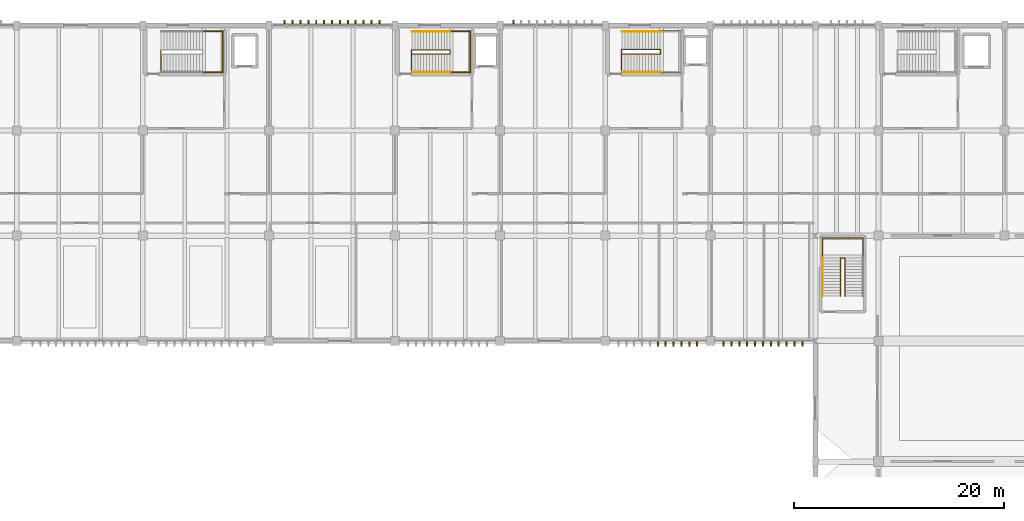
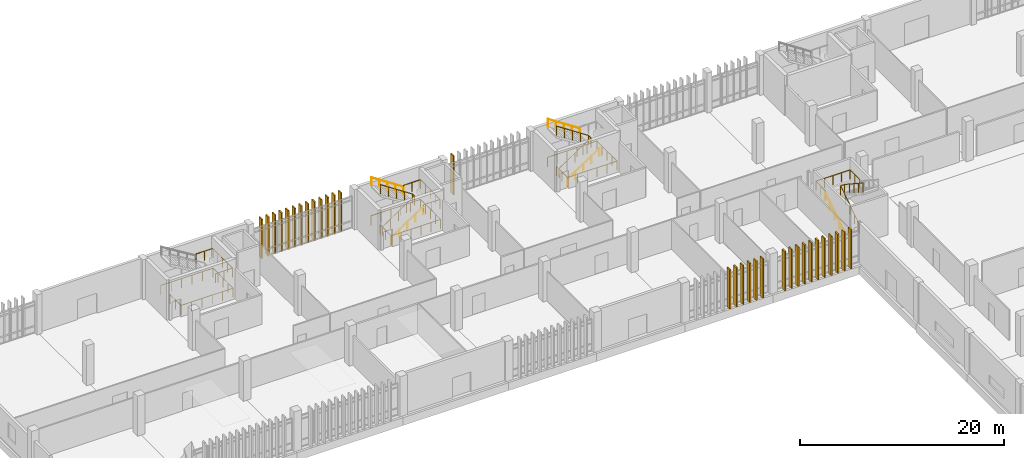
# One storey, part 83 of 87: 31 shading devices, 14 railings.
"""IFC4 building model written with IfcOpenShell, lengths in metres."""

from ifc_helpers import new_model, si_unit, direction, frame, origin, origin_2d, place, context, subcontext, project, spatial, rectangle, circle, extrude, material, type_object, element, save


model = new_model("IFC4")

# Units and contexts
model_context = context("Model", 3, precision=1e-05, world=origin(), true_north=direction((0.0, 1.0)))
body_context = subcontext(model_context, "Body", "Model", "MODEL_VIEW")
ifc_project = project(units=[si_unit("LENGTHUNIT", "METRE"), si_unit("AREAUNIT", "SQUARE_METRE"), si_unit("VOLUMEUNIT", "CUBIC_METRE"), si_unit("PLANEANGLEUNIT", "RADIAN"), si_unit("MASSUNIT", "GRAM", prefix="KILO")], contexts=[model_context])

# Site, building, storey
site_placement = place(None, origin())
site = spatial("IfcSite", under=ifc_project, at=site_placement, CompositionType="ELEMENT")
building_placement = place(site_placement, origin())
building = spatial("IfcBuilding", under=site, at=building_placement, Name="Mersad Railyard Sports Hall", CompositionType="ELEMENT")
storey_placement = place(building_placement, origin())
storey = spatial("IfcBuildingStorey", under=building, at=storey_placement, Name="L00", CompositionType="ELEMENT", Elevation=0.0)

# Railings
ifc_material_1 = material(Name="Steel S355", Category="steel")
railing_type_1 = type_object("IfcRailingType", Name="ARC-RL-GR01", PredefinedType="GUARDRAIL", material=ifc_material_1)
railing_1_placement = place(storey_placement, frame((68.7099609375, 112.68994140625, 0.0)))
element("IfcRailing", 1, at=railing_1_placement, inside=storey, type_object=railing_type_1, Name="Interior guard GR01-0005", PredefinedType="GUARDRAIL", context=body_context, shape_type="SweptSolid", body=[
    extrude(circle(Radius=0.02392578125, at=origin_2d()), frame((0.0, 0.0, 1.09619140625), z_axis=(0.0, -1.0, 0.0), x_axis=(1.0, 0.0, 0.0)), (0.0, 0.0, 1.0), 2.169921875),
    extrude(circle(Radius=0.02392578125, at=origin_2d()), frame((0.0, -2.169921875, 1.09619140625), z_axis=(1.0, 0.0, 0.0), x_axis=(0.0, 1.0, 0.0)), (0.0, 0.0, 1.0), 5.919921875),
    extrude(circle(Radius=0.02392578125, at=origin_2d()), frame((5.919921875, -2.169921875, 1.09619140625), z_axis=(0.0, 1.0, 0.0), x_axis=(-1.0, 0.0, 0.0)), (0.0, 0.0, 1.0), 3.9599609375),
    extrude(circle(Radius=0.02392578125, at=origin_2d()), frame((5.919921875, 1.7900390625, 1.09619140625), z_axis=(-1.0, 0.0, 0.0), x_axis=(0.0, -1.0, 0.0)), (0.0, 0.0, 1.0), 5.919921875),
    extrude(circle(Radius=0.02099609375, at=origin_2d()), origin(), (0.0, 0.0, 1.0), 1.072021484375),
    extrude(circle(Radius=0.02099609375, at=origin_2d()), frame((0.0, -1.0849609375, 0.0)), (0.0, 0.0, 1.0), 1.072021484375),
    extrude(circle(Radius=0.02099609375, at=origin_2d()), frame((0.0, -2.169921875, 0.0)), (0.0, 0.0, 1.0), 1.072021484375),
    extrude(circle(Radius=0.02099609375, at=origin_2d()), frame((1.18408203125, -2.169921875, 0.0)), (0.0, 0.0, 1.0), 1.072021484375),
    extrude(circle(Radius=0.02099609375, at=origin_2d()), frame((2.367919921875, -2.169921875, 0.0)), (0.0, 0.0, 1.0), 1.072021484375),
    extrude(circle(Radius=0.02099609375, at=origin_2d()), frame((3.552001953125, -2.169921875, 0.0)), (0.0, 0.0, 1.0), 1.072021484375),
    extrude(circle(Radius=0.02099609375, at=origin_2d()), frame((4.73583984375, -2.169921875, 0.0)), (0.0, 0.0, 1.0), 1.072021484375),
    extrude(circle(Radius=0.02099609375, at=origin_2d()), frame((5.919921875, -2.169921875, 0.0)), (0.0, 0.0, 1.0), 1.072021484375),
    extrude(circle(Radius=0.02099609375, at=origin_2d()), frame((5.919921875, -1.179931640625, 0.0)), (0.0, 0.0, 1.0), 1.072021484375),
    extrude(circle(Radius=0.02099609375, at=origin_2d()), frame((5.919921875, -0.18994140625, 0.0)), (0.0, 0.0, 1.0), 1.072021484375),
    extrude(circle(Radius=0.02099609375, at=origin_2d()), frame((5.919921875, 0.800048828125, 0.0)), (0.0, 0.0, 1.0), 1.072021484375),
    extrude(circle(Radius=0.02099609375, at=origin_2d()), frame((5.919921875, 1.7900390625, 0.0)), (0.0, 0.0, 1.0), 1.072021484375),
    extrude(circle(Radius=0.02099609375, at=origin_2d()), frame((4.73583984375, 1.7900390625, 0.0)), (0.0, 0.0, 1.0), 1.072021484375),
    extrude(circle(Radius=0.02099609375, at=origin_2d()), frame((3.552001953125, 1.7900390625, 0.0)), (0.0, 0.0, 1.0), 1.072021484375),
    extrude(circle(Radius=0.02099609375, at=origin_2d()), frame((2.367919921875, 1.7900390625, 0.0)), (0.0, 0.0, 1.0), 1.072021484375),
    extrude(circle(Radius=0.02099609375, at=origin_2d()), frame((1.18408203125, 1.7900390625, 0.0)), (0.0, 0.0, 1.0), 1.072021484375),
    extrude(circle(Radius=0.02099609375, at=origin_2d()), frame((0.0, 1.7900390625, 0.0)), (0.0, 0.0, 1.0), 1.072021484375),
])
railing_2_placement = place(storey_placement, frame((72.669921875, 110.56005859375, 2.39990234375)))
element("IfcRailing", 2, at=railing_2_placement, inside=storey, type_object=railing_type_1, Name="Interior guard GR01-0009", PredefinedType="GUARDRAIL", context=body_context, shape_type="SweptSolid", body=[
    extrude(circle(Radius=0.02392578125, at=origin_2d()), frame((0.0, 0.0, 1.09619140625), z_axis=(1.0, 0.0, 0.0), x_axis=(0.0, 1.0, 0.0)), (0.0, 0.0, 1.0), 1.920166015625),
    extrude(circle(Radius=0.02392578125, at=origin_2d()), frame((1.920166015625, 0.0, 1.09619140625), z_axis=(0.0, 1.0, 0.0), x_axis=(-1.0, 0.0, 0.0)), (0.0, 0.0, 1.0), 3.8798828125),
    extrude(circle(Radius=0.02392578125, at=origin_2d()), frame((1.920166015625, 3.8798828125, 1.09619140625), z_axis=(-1.0, 0.0, 0.0), x_axis=(0.0, -1.0, 0.0)), (0.0, 0.0, 1.0), 1.920166015625),
    extrude(circle(Radius=0.02099609375, at=origin_2d()), origin(), (0.0, 0.0, 1.0), 1.072021484375),
    extrude(circle(Radius=0.02099609375, at=origin_2d()), frame((0.9599609375, 0.0, 0.0)), (0.0, 0.0, 1.0), 1.072021484375),
    extrude(circle(Radius=0.02099609375, at=origin_2d()), frame((1.920166015625, 0.0, 0.0)), (0.0, 0.0, 1.0), 1.072021484375),
    extrude(circle(Radius=0.02099609375, at=origin_2d()), frame((1.920166015625, 0.969970703125, 0.0)), (0.0, 0.0, 1.0), 1.072021484375),
    extrude(circle(Radius=0.02099609375, at=origin_2d()), frame((1.920166015625, 1.93994140625, 0.0)), (0.0, 0.0, 1.0), 1.072021484375),
    extrude(circle(Radius=0.02099609375, at=origin_2d()), frame((1.920166015625, 2.909912109375, 0.0)), (0.0, 0.0, 1.0), 1.072021484375),
    extrude(circle(Radius=0.02099609375, at=origin_2d()), frame((1.920166015625, 3.8798828125, 0.0)), (0.0, 0.0, 1.0), 1.072021484375),
    extrude(circle(Radius=0.02099609375, at=origin_2d()), frame((0.9599609375, 3.8798828125, 0.0)), (0.0, 0.0, 1.0), 1.072021484375),
    extrude(circle(Radius=0.02099609375, at=origin_2d()), frame((0.0, 3.8798828125, 0.0)), (0.0, 0.0, 1.0), 1.072021484375),
])
railing_3_placement = place(storey_placement, frame((92.56005859375, 112.68994140625, 0.0)))
element("IfcRailing", 3, at=railing_3_placement, inside=storey, type_object=railing_type_1, Name="Interior guard GR01-0035", PredefinedType="GUARDRAIL", context=body_context, shape_type="SweptSolid", body=[
    extrude(circle(Radius=0.02392578125, at=origin_2d()), frame((0.0, 0.0, 1.09619140625), z_axis=(0.0, -1.0, 0.0), x_axis=(1.0, 0.0, 0.0)), (0.0, 0.0, 1.0), 2.169921875),
    extrude(circle(Radius=0.02392578125, at=origin_2d()), frame((0.0, -2.169921875, 1.09619140625), z_axis=(1.0, 0.0, 0.0), x_axis=(0.0, 1.0, 0.0)), (0.0, 0.0, 1.0), 5.619873046875),
    extrude(circle(Radius=0.02392578125, at=origin_2d()), frame((5.619873046875, -2.169921875, 1.09619140625), z_axis=(0.0, 1.0, 0.0), x_axis=(-1.0, 0.0, 0.0)), (0.0, 0.0, 1.0), 3.9599609375),
    extrude(circle(Radius=0.02392578125, at=origin_2d()), frame((5.619873046875, 1.7900390625, 1.09619140625), z_axis=(-1.0, 0.0, 0.0), x_axis=(0.0, -1.0, 0.0)), (0.0, 0.0, 1.0), 5.619873046875),
    extrude(circle(Radius=0.02099609375, at=origin_2d()), origin(), (0.0, 0.0, 1.0), 1.072021484375),
    extrude(circle(Radius=0.02099609375, at=origin_2d()), frame((0.0, -1.0849609375, 0.0)), (0.0, 0.0, 1.0), 1.072021484375),
    extrude(circle(Radius=0.02099609375, at=origin_2d()), frame((0.0, -2.169921875, 0.0)), (0.0, 0.0, 1.0), 1.072021484375),
    extrude(circle(Radius=0.02099609375, at=origin_2d()), frame((1.1240234375, -2.169921875, 0.0)), (0.0, 0.0, 1.0), 1.072021484375),
    extrude(circle(Radius=0.02099609375, at=origin_2d()), frame((2.248046875, -2.169921875, 0.0)), (0.0, 0.0, 1.0), 1.072021484375),
    extrude(circle(Radius=0.02099609375, at=origin_2d()), frame((3.371826171875, -2.169921875, 0.0)), (0.0, 0.0, 1.0), 1.072021484375),
    extrude(circle(Radius=0.02099609375, at=origin_2d()), frame((4.495849609375, -2.169921875, 0.0)), (0.0, 0.0, 1.0), 1.072021484375),
    extrude(circle(Radius=0.02099609375, at=origin_2d()), frame((5.619873046875, -2.169921875, 0.0)), (0.0, 0.0, 1.0), 1.072021484375),
    extrude(circle(Radius=0.02099609375, at=origin_2d()), frame((5.619873046875, -1.179931640625, 0.0)), (0.0, 0.0, 1.0), 1.072021484375),
    extrude(circle(Radius=0.02099609375, at=origin_2d()), frame((5.619873046875, -0.18994140625, 0.0)), (0.0, 0.0, 1.0), 1.072021484375),
    extrude(circle(Radius=0.02099609375, at=origin_2d()), frame((5.619873046875, 0.800048828125, 0.0)), (0.0, 0.0, 1.0), 1.072021484375),
    extrude(circle(Radius=0.02099609375, at=origin_2d()), frame((5.619873046875, 1.7900390625, 0.0)), (0.0, 0.0, 1.0), 1.072021484375),
    extrude(circle(Radius=0.02099609375, at=origin_2d()), frame((4.495849609375, 1.7900390625, 0.0)), (0.0, 0.0, 1.0), 1.072021484375),
    extrude(circle(Radius=0.02099609375, at=origin_2d()), frame((3.371826171875, 1.7900390625, 0.0)), (0.0, 0.0, 1.0), 1.072021484375),
    extrude(circle(Radius=0.02099609375, at=origin_2d()), frame((2.248046875, 1.7900390625, 0.0)), (0.0, 0.0, 1.0), 1.072021484375),
    extrude(circle(Radius=0.02099609375, at=origin_2d()), frame((1.1240234375, 1.7900390625, 0.0)), (0.0, 0.0, 1.0), 1.072021484375),
    extrude(circle(Radius=0.02099609375, at=origin_2d()), frame((0.0, 1.7900390625, 0.0)), (0.0, 0.0, 1.0), 1.072021484375),
])
railing_4_placement = place(storey_placement, frame((92.60009765625, 112.31005859375, 0.0)))
element("IfcRailing", 4, at=railing_4_placement, inside=storey, type_object=railing_type_1, Name="Interior guard GR01-0038", PredefinedType="GUARDRAIL", context=body_context, shape_type="SweptSolid", body=[
    extrude(circle(Radius=0.02392578125, at=origin_2d()), frame((0.0, 0.0, 1.09619140625), z_axis=(0.834865213223, 0.0, 0.550454426587), x_axis=(0.0, 1.0, 0.0)), (0.0, 0.0, 1.0), 4.35986328125),
    extrude(circle(Radius=0.02392578125, at=origin_2d()), frame((3.639892578125, 0.0, 3.49609375), z_axis=(0.0, 1.0, 0.0), x_axis=(-1.0, 0.0, 0.0)), (0.0, 0.0, 1.0), 0.3798828125),
    extrude(circle(Radius=0.02392578125, at=origin_2d()), frame((3.639892578125, 0.3798828125, 3.49609375), z_axis=(-0.834839479206, 0.0, 0.550493454965), x_axis=(0.0, -1.0, 0.0)), (0.0, 0.0, 1.0), 4.360107421875),
    extrude(circle(Radius=0.02099609375, at=origin_2d()), origin(), (0.0, 0.0, 1.0), 1.072021484375),
    extrude(circle(Radius=0.02099609375, at=origin_2d()), frame((0.909912109375, 0.0, 0.60009765625)), (0.0, 0.0, 1.0), 1.072021484375),
    extrude(circle(Radius=0.02099609375, at=origin_2d()), frame((1.81982421875, 0.0, 1.199951171875)), (0.0, 0.0, 1.0), 1.072021484375),
    extrude(circle(Radius=0.02099609375, at=origin_2d()), frame((2.72998046875, 0.0, 1.7998046875)), (0.0, 0.0, 1.0), 1.072021484375),
    extrude(circle(Radius=0.02099609375, at=origin_2d()), frame((3.639892578125, 0.0, 2.39990234375)), (0.0, 0.0, 1.0), 1.072021484375),
    extrude(circle(Radius=0.02099609375, at=origin_2d()), frame((3.639892578125, 0.3798828125, 2.39990234375)), (0.0, 0.0, 1.0), 1.072021484375),
    extrude(circle(Radius=0.02099609375, at=origin_2d()), frame((2.72998046875, 0.3798828125, 3.0)), (0.0, 0.0, 1.0), 1.072021484375),
    extrude(circle(Radius=0.02099609375, at=origin_2d()), frame((1.81982421875, 0.3798828125, 3.60009765625)), (0.0, 0.0, 1.0), 1.072021484375),
    extrude(circle(Radius=0.02099609375, at=origin_2d()), frame((0.909912109375, 0.3798828125, 4.199951171875)), (0.0, 0.0, 1.0), 1.072021484375),
    extrude(circle(Radius=0.02099609375, at=origin_2d()), frame((0.0, 0.3798828125, 4.800048828125)), (0.0, 0.0, 1.0), 1.072021484375),
])
railing_5_placement = place(storey_placement, frame((96.239990234375, 110.56005859375, 2.39990234375)))
element("IfcRailing", 5, at=railing_5_placement, inside=storey, type_object=railing_type_1, Name="Interior guard GR01-0039", PredefinedType="GUARDRAIL", context=body_context, shape_type="SweptSolid", body=[
    extrude(circle(Radius=0.02392578125, at=origin_2d()), frame((0.0, 0.0, 1.09619140625), z_axis=(1.0, 0.0, 0.0), x_axis=(0.0, 1.0, 0.0)), (0.0, 0.0, 1.0), 1.89990234375),
    extrude(circle(Radius=0.02392578125, at=origin_2d()), frame((1.89990234375, 0.0, 1.09619140625), z_axis=(0.0, 1.0, 0.0), x_axis=(-1.0, 0.0, 0.0)), (0.0, 0.0, 1.0), 3.8798828125),
    extrude(circle(Radius=0.02392578125, at=origin_2d()), frame((1.89990234375, 3.8798828125, 1.09619140625), z_axis=(-1.0, 0.0, 0.0), x_axis=(0.0, -1.0, 0.0)), (0.0, 0.0, 1.0), 1.89990234375),
    extrude(circle(Radius=0.02099609375, at=origin_2d()), origin(), (0.0, 0.0, 1.0), 1.072021484375),
    extrude(circle(Radius=0.02099609375, at=origin_2d()), frame((0.949951171875, 0.0, 0.0)), (0.0, 0.0, 1.0), 1.072021484375),
    extrude(circle(Radius=0.02099609375, at=origin_2d()), frame((1.89990234375, 0.0, 0.0)), (0.0, 0.0, 1.0), 1.072021484375),
    extrude(circle(Radius=0.02099609375, at=origin_2d()), frame((1.89990234375, 0.969970703125, 0.0)), (0.0, 0.0, 1.0), 1.072021484375),
    extrude(circle(Radius=0.02099609375, at=origin_2d()), frame((1.89990234375, 1.93994140625, 0.0)), (0.0, 0.0, 1.0), 1.072021484375),
    extrude(circle(Radius=0.02099609375, at=origin_2d()), frame((1.89990234375, 2.909912109375, 0.0)), (0.0, 0.0, 1.0), 1.072021484375),
    extrude(circle(Radius=0.02099609375, at=origin_2d()), frame((1.89990234375, 3.8798828125, 0.0)), (0.0, 0.0, 1.0), 1.072021484375),
    extrude(circle(Radius=0.02099609375, at=origin_2d()), frame((0.949951171875, 3.8798828125, 0.0)), (0.0, 0.0, 1.0), 1.072021484375),
    extrude(circle(Radius=0.02099609375, at=origin_2d()), frame((0.0, 3.8798828125, 0.0)), (0.0, 0.0, 1.0), 1.072021484375),
])
railing_6_placement = place(storey_placement, frame((112.56005859375, 112.7099609375, 0.0)))
element("IfcRailing", 6, at=railing_6_placement, inside=storey, type_object=railing_type_1, Name="Interior guard GR01-0065", PredefinedType="GUARDRAIL", context=body_context, shape_type="SweptSolid", body=[
    extrude(circle(Radius=0.02392578125, at=origin_2d()), frame((0.0, 0.0, 1.09619140625), z_axis=(0.0, -1.0, 0.0), x_axis=(1.0, 0.0, 0.0)), (0.0, 0.0, 1.0), 2.18994140625),
    extrude(circle(Radius=0.02392578125, at=origin_2d()), frame((0.0, -2.18994140625, 1.09619140625), z_axis=(1.0, 0.0, 0.0), x_axis=(0.0, 1.0, 0.0)), (0.0, 0.0, 1.0), 5.619873046875),
    extrude(circle(Radius=0.02392578125, at=origin_2d()), frame((5.619873046875, -2.18994140625, 1.09619140625), z_axis=(0.0, 1.0, 0.0), x_axis=(-1.0, 0.0, 0.0)), (0.0, 0.0, 1.0), 3.9599609375),
    extrude(circle(Radius=0.02392578125, at=origin_2d()), frame((5.619873046875, 1.77001953125, 1.09619140625), z_axis=(-1.0, 0.0, 0.0), x_axis=(0.0, -1.0, 0.0)), (0.0, 0.0, 1.0), 5.619873046875),
    extrude(circle(Radius=0.02099609375, at=origin_2d()), origin(), (0.0, 0.0, 1.0), 1.072021484375),
    extrude(circle(Radius=0.02099609375, at=origin_2d()), frame((0.0, -1.094970703125, 0.0)), (0.0, 0.0, 1.0), 1.072021484375),
    extrude(circle(Radius=0.02099609375, at=origin_2d()), frame((0.0, -2.18994140625, 0.0)), (0.0, 0.0, 1.0), 1.072021484375),
    extrude(circle(Radius=0.02099609375, at=origin_2d()), frame((1.1240234375, -2.18994140625, 0.0)), (0.0, 0.0, 1.0), 1.072021484375),
    extrude(circle(Radius=0.02099609375, at=origin_2d()), frame((2.248046875, -2.18994140625, 0.0)), (0.0, 0.0, 1.0), 1.072021484375),
    extrude(circle(Radius=0.02099609375, at=origin_2d()), frame((3.371826171875, -2.18994140625, 0.0)), (0.0, 0.0, 1.0), 1.072021484375),
    extrude(circle(Radius=0.02099609375, at=origin_2d()), frame((4.495849609375, -2.18994140625, 0.0)), (0.0, 0.0, 1.0), 1.072021484375),
    extrude(circle(Radius=0.02099609375, at=origin_2d()), frame((5.619873046875, -2.18994140625, 0.0)), (0.0, 0.0, 1.0), 1.072021484375),
    extrude(circle(Radius=0.02099609375, at=origin_2d()), frame((5.619873046875, -1.199951171875, 0.0)), (0.0, 0.0, 1.0), 1.072021484375),
    extrude(circle(Radius=0.02099609375, at=origin_2d()), frame((5.619873046875, -0.2099609375, 0.0)), (0.0, 0.0, 1.0), 1.072021484375),
    extrude(circle(Radius=0.02099609375, at=origin_2d()), frame((5.619873046875, 0.780029296875, 0.0)), (0.0, 0.0, 1.0), 1.072021484375),
    extrude(circle(Radius=0.02099609375, at=origin_2d()), frame((5.619873046875, 1.77001953125, 0.0)), (0.0, 0.0, 1.0), 1.072021484375),
    extrude(circle(Radius=0.02099609375, at=origin_2d()), frame((4.495849609375, 1.77001953125, 0.0)), (0.0, 0.0, 1.0), 1.072021484375),
    extrude(circle(Radius=0.02099609375, at=origin_2d()), frame((3.371826171875, 1.77001953125, 0.0)), (0.0, 0.0, 1.0), 1.072021484375),
    extrude(circle(Radius=0.02099609375, at=origin_2d()), frame((2.248046875, 1.77001953125, 0.0)), (0.0, 0.0, 1.0), 1.072021484375),
    extrude(circle(Radius=0.02099609375, at=origin_2d()), frame((1.1240234375, 1.77001953125, 0.0)), (0.0, 0.0, 1.0), 1.072021484375),
    extrude(circle(Radius=0.02099609375, at=origin_2d()), frame((0.0, 1.77001953125, 0.0)), (0.0, 0.0, 1.0), 1.072021484375),
])
railing_7_placement = place(storey_placement, frame((112.60009765625, 112.27001953125, 0.0)))
element("IfcRailing", 7, at=railing_7_placement, inside=storey, type_object=railing_type_1, Name="Interior guard GR01-0068", PredefinedType="GUARDRAIL", context=body_context, shape_type="SweptSolid", body=[
    extrude(circle(Radius=0.02392578125, at=origin_2d()), frame((0.0, 0.0, 1.09619140625), z_axis=(0.834865213223, 0.0, 0.550454426587), x_axis=(0.0, 1.0, 0.0)), (0.0, 0.0, 1.0), 4.35986328125),
    extrude(circle(Radius=0.02392578125, at=origin_2d()), frame((3.639892578125, 0.0, 3.49609375), z_axis=(0.0, 1.0, 0.0), x_axis=(-1.0, 0.0, 0.0)), (0.0, 0.0, 1.0), 0.4599609375),
    extrude(circle(Radius=0.02392578125, at=origin_2d()), frame((3.639892578125, 0.4599609375, 3.49609375), z_axis=(-0.834839479206, 0.0, 0.550493454965), x_axis=(0.0, -1.0, 0.0)), (0.0, 0.0, 1.0), 4.360107421875),
    extrude(circle(Radius=0.02099609375, at=origin_2d()), origin(), (0.0, 0.0, 1.0), 1.072021484375),
    extrude(circle(Radius=0.02099609375, at=origin_2d()), frame((0.909912109375, 0.0, 0.60009765625)), (0.0, 0.0, 1.0), 1.072021484375),
    extrude(circle(Radius=0.02099609375, at=origin_2d()), frame((1.81982421875, 0.0, 1.199951171875)), (0.0, 0.0, 1.0), 1.072021484375),
    extrude(circle(Radius=0.02099609375, at=origin_2d()), frame((2.72998046875, 0.0, 1.7998046875)), (0.0, 0.0, 1.0), 1.072021484375),
    extrude(circle(Radius=0.02099609375, at=origin_2d()), frame((3.639892578125, 0.0, 2.39990234375)), (0.0, 0.0, 1.0), 1.072021484375),
    extrude(circle(Radius=0.02099609375, at=origin_2d()), frame((3.639892578125, 0.4599609375, 2.39990234375)), (0.0, 0.0, 1.0), 1.072021484375),
    extrude(circle(Radius=0.02099609375, at=origin_2d()), frame((2.72998046875, 0.4599609375, 3.0)), (0.0, 0.0, 1.0), 1.072021484375),
    extrude(circle(Radius=0.02099609375, at=origin_2d()), frame((1.81982421875, 0.4599609375, 3.60009765625)), (0.0, 0.0, 1.0), 1.072021484375),
    extrude(circle(Radius=0.02099609375, at=origin_2d()), frame((0.909912109375, 0.4599609375, 4.199951171875)), (0.0, 0.0, 1.0), 1.072021484375),
    extrude(circle(Radius=0.02099609375, at=origin_2d()), frame((0.0, 0.4599609375, 4.800048828125)), (0.0, 0.0, 1.0), 1.072021484375),
])
railing_8_placement = place(storey_placement, frame((133.3701171875, 89.25, 0.0)))
element("IfcRailing", 8, at=railing_8_placement, inside=storey, type_object=railing_type_1, Name="Interior guard GR01-0153", PredefinedType="GUARDRAIL", context=body_context, shape_type="SweptSolid", body=[
    extrude(circle(Radius=0.02392578125, at=origin_2d()), frame((0.0, 0.0, 1.09619140625), z_axis=(0.0, 0.834865213223, 0.550454426587), x_axis=(-1.0, 0.0, 0.0)), (0.0, 0.0, 1.0), 4.35986328125),
    extrude(circle(Radius=0.02392578125, at=origin_2d()), frame((0.0, 3.639892578125, 3.49609375), z_axis=(1.0, 0.0, 0.0), x_axis=(0.0, 1.0, 0.0)), (0.0, 0.0, 1.0), 0.4599609375),
    extrude(circle(Radius=0.02392578125, at=origin_2d()), frame((0.4599609375, 3.639892578125, 3.49609375), z_axis=(0.0, -0.834839479206, 0.550493454965), x_axis=(1.0, 0.0, 0.0)), (0.0, 0.0, 1.0), 4.360107421875),
    extrude(circle(Radius=0.02099609375, at=origin_2d()), origin(), (0.0, 0.0, 1.0), 1.072021484375),
    extrude(circle(Radius=0.02099609375, at=origin_2d()), frame((0.0, 0.909912109375, 0.60009765625)), (0.0, 0.0, 1.0), 1.072021484375),
    extrude(circle(Radius=0.02099609375, at=origin_2d()), frame((0.0, 1.81982421875, 1.199951171875)), (0.0, 0.0, 1.0), 1.072021484375),
    extrude(circle(Radius=0.02099609375, at=origin_2d()), frame((0.0, 2.72998046875, 1.7998046875)), (0.0, 0.0, 1.0), 1.072021484375),
    extrude(circle(Radius=0.02099609375, at=origin_2d()), frame((0.0, 3.639892578125, 2.39990234375)), (0.0, 0.0, 1.0), 1.072021484375),
    extrude(circle(Radius=0.02099609375, at=origin_2d()), frame((0.4599609375, 3.639892578125, 2.39990234375)), (0.0, 0.0, 1.0), 1.072021484375),
    extrude(circle(Radius=0.02099609375, at=origin_2d()), frame((0.4599609375, 2.72998046875, 3.0)), (0.0, 0.0, 1.0), 1.072021484375),
    extrude(circle(Radius=0.02099609375, at=origin_2d()), frame((0.4599609375, 1.81982421875, 3.60009765625)), (0.0, 0.0, 1.0), 1.072021484375),
    extrude(circle(Radius=0.02099609375, at=origin_2d()), frame((0.4599609375, 0.909912109375, 4.199951171875)), (0.0, 0.0, 1.0), 1.072021484375),
    extrude(circle(Radius=0.02099609375, at=origin_2d()), frame((0.4599609375, 0.0, 4.800048828125)), (0.0, 0.0, 1.0), 1.072021484375),
])
railing_9_placement = place(storey_placement, frame((131.659912109375, 92.889892578125, 2.39990234375)))
element("IfcRailing", 9, at=railing_9_placement, inside=storey, type_object=railing_type_1, Name="Interior guard GR01-0154", PredefinedType="GUARDRAIL", context=body_context, shape_type="SweptSolid", body=[
    extrude(circle(Radius=0.02392578125, at=origin_2d()), frame((0.0, 0.0, 1.09619140625), z_axis=(0.0, 1.0, 0.0), x_axis=(-1.0, 0.0, 0.0)), (0.0, 0.0, 1.0), 1.900146484375),
    extrude(circle(Radius=0.02392578125, at=origin_2d()), frame((0.0, 1.900146484375, 1.09619140625), z_axis=(1.0, 0.0, 0.0), x_axis=(0.0, 1.0, 0.0)), (0.0, 0.0, 1.0), 3.880126953125),
    extrude(circle(Radius=0.02392578125, at=origin_2d()), frame((3.880126953125, 1.900146484375, 1.09619140625), z_axis=(0.0, -1.0, 0.0), x_axis=(1.0, 0.0, 0.0)), (0.0, 0.0, 1.0), 1.900146484375),
    extrude(circle(Radius=0.02099609375, at=origin_2d()), origin(), (0.0, 0.0, 1.0), 1.072021484375),
    extrude(circle(Radius=0.02099609375, at=origin_2d()), frame((0.0, 0.9501953125, 0.0)), (0.0, 0.0, 1.0), 1.072021484375),
    extrude(circle(Radius=0.02099609375, at=origin_2d()), frame((0.0, 1.900146484375, 0.0)), (0.0, 0.0, 1.0), 1.072021484375),
    extrude(circle(Radius=0.02099609375, at=origin_2d()), frame((0.969970703125, 1.900146484375, 0.0)), (0.0, 0.0, 1.0), 1.072021484375),
    extrude(circle(Radius=0.02099609375, at=origin_2d()), frame((1.93994140625, 1.900146484375, 0.0)), (0.0, 0.0, 1.0), 1.072021484375),
    extrude(circle(Radius=0.02099609375, at=origin_2d()), frame((2.91015625, 1.900146484375, 0.0)), (0.0, 0.0, 1.0), 1.072021484375),
    extrude(circle(Radius=0.02099609375, at=origin_2d()), frame((3.880126953125, 1.900146484375, 0.0)), (0.0, 0.0, 1.0), 1.072021484375),
    extrude(circle(Radius=0.02099609375, at=origin_2d()), frame((3.880126953125, 0.9501953125, 0.0)), (0.0, 0.0, 1.0), 1.072021484375),
    extrude(circle(Radius=0.02099609375, at=origin_2d()), frame((3.880126953125, 0.0, 0.0)), (0.0, 0.0, 1.0), 1.072021484375),
])
railing_type_2 = type_object("IfcRailingType", Name="ARC-RL-HR01", PredefinedType="HANDRAIL", material=ifc_material_1)
railing_10_placement = place(storey_placement, frame((92.60009765625, 110.56005859375, 0.0)))
element("IfcRailing", 10, at=railing_10_placement, inside=storey, type_object=railing_type_2, Name="Interior handrail HR01-0036", PredefinedType="HANDRAIL", context=body_context, shape_type="SweptSolid", body=[
    extrude(circle(Radius=0.02392578125, at=origin_2d()), frame((0.0, 0.0, 0.89599609375), z_axis=(0.834865213223, 0.0, 0.550454426587), x_axis=(0.0, 1.0, 0.0)), (0.0, 0.0, 1.0), 4.35986328125),
    extrude(circle(Radius=0.02099609375, at=origin_2d()), origin(), (0.0, 0.0, 1.0), 0.871826171875),
    extrude(circle(Radius=0.02099609375, at=origin_2d()), frame((0.909912109375, 0.0, 0.60009765625)), (0.0, 0.0, 1.0), 0.871826171875),
    extrude(circle(Radius=0.02099609375, at=origin_2d()), frame((1.81982421875, 0.0, 1.199951171875)), (0.0, 0.0, 1.0), 0.871826171875),
    extrude(circle(Radius=0.02099609375, at=origin_2d()), frame((2.72998046875, 0.0, 1.7998046875)), (0.0, 0.0, 1.0), 0.871826171875),
    extrude(circle(Radius=0.02099609375, at=origin_2d()), frame((3.639892578125, 0.0, 2.39990234375)), (0.0, 0.0, 1.0), 0.871826171875),
])
railing_11_placement = place(storey_placement, frame((96.239990234375, 114.43994140625, 2.39990234375)))
element("IfcRailing", 11, at=railing_11_placement, inside=storey, type_object=railing_type_2, Name="Interior handrail HR01-0037", PredefinedType="HANDRAIL", context=body_context, shape_type="SweptSolid", body=[
    extrude(circle(Radius=0.02392578125, at=origin_2d()), frame((0.0, 0.0, 0.89599609375), z_axis=(-0.834839479206, 0.0, 0.550493454965), x_axis=(0.0, -1.0, 0.0)), (0.0, 0.0, 1.0), 4.360107421875),
    extrude(circle(Radius=0.02099609375, at=origin_2d()), origin(), (0.0, 0.0, 1.0), 0.871826171875),
    extrude(circle(Radius=0.02099609375, at=origin_2d()), frame((-0.909912109375, 0.0, 0.60009765625)), (0.0, 0.0, 1.0), 0.871826171875),
    extrude(circle(Radius=0.02099609375, at=origin_2d()), frame((-1.81982421875, 0.0, 1.2001953125)), (0.0, 0.0, 1.0), 0.871826171875),
    extrude(circle(Radius=0.02099609375, at=origin_2d()), frame((-2.72998046875, 0.0, 1.800048828125)), (0.0, 0.0, 1.0), 0.871826171875),
    extrude(circle(Radius=0.02099609375, at=origin_2d()), frame((-3.639892578125, 0.0, 2.400146484375)), (0.0, 0.0, 1.0), 0.871826171875),
])
railing_12_placement = place(storey_placement, frame((112.60009765625, 110.56005859375, 0.0)))
element("IfcRailing", 12, at=railing_12_placement, inside=storey, type_object=railing_type_2, Name="Interior handrail HR01-0066", PredefinedType="HANDRAIL", context=body_context, shape_type="SweptSolid", body=[
    extrude(circle(Radius=0.02392578125, at=origin_2d()), frame((0.0, 0.0, 0.89599609375), z_axis=(0.834865213223, 0.0, 0.550454426587), x_axis=(0.0, 1.0, 0.0)), (0.0, 0.0, 1.0), 4.35986328125),
    extrude(circle(Radius=0.02099609375, at=origin_2d()), origin(), (0.0, 0.0, 1.0), 0.871826171875),
    extrude(circle(Radius=0.02099609375, at=origin_2d()), frame((0.909912109375, 0.0, 0.60009765625)), (0.0, 0.0, 1.0), 0.871826171875),
    extrude(circle(Radius=0.02099609375, at=origin_2d()), frame((1.81982421875, 0.0, 1.199951171875)), (0.0, 0.0, 1.0), 0.871826171875),
    extrude(circle(Radius=0.02099609375, at=origin_2d()), frame((2.72998046875, 0.0, 1.7998046875)), (0.0, 0.0, 1.0), 0.871826171875),
    extrude(circle(Radius=0.02099609375, at=origin_2d()), frame((3.639892578125, 0.0, 2.39990234375)), (0.0, 0.0, 1.0), 0.871826171875),
])
railing_13_placement = place(storey_placement, frame((116.239990234375, 114.43994140625, 2.39990234375)))
element("IfcRailing", 13, at=railing_13_placement, inside=storey, type_object=railing_type_2, Name="Interior handrail HR01-0067", PredefinedType="HANDRAIL", context=body_context, shape_type="SweptSolid", body=[
    extrude(circle(Radius=0.02392578125, at=origin_2d()), frame((0.0, 0.0, 0.89599609375), z_axis=(-0.834839479206, 0.0, 0.550493454965), x_axis=(0.0, -1.0, 0.0)), (0.0, 0.0, 1.0), 4.360107421875),
    extrude(circle(Radius=0.02099609375, at=origin_2d()), origin(), (0.0, 0.0, 1.0), 0.871826171875),
    extrude(circle(Radius=0.02099609375, at=origin_2d()), frame((-0.909912109375, 0.0, 0.60009765625)), (0.0, 0.0, 1.0), 0.871826171875),
    extrude(circle(Radius=0.02099609375, at=origin_2d()), frame((-1.81982421875, 0.0, 1.2001953125)), (0.0, 0.0, 1.0), 0.871826171875),
    extrude(circle(Radius=0.02099609375, at=origin_2d()), frame((-2.72998046875, 0.0, 1.800048828125)), (0.0, 0.0, 1.0), 0.871826171875),
    extrude(circle(Radius=0.02099609375, at=origin_2d()), frame((-3.639892578125, 0.0, 2.400146484375)), (0.0, 0.0, 1.0), 0.871826171875),
])
railing_14_placement = place(storey_placement, frame((131.659912109375, 89.25, 0.0)))
element("IfcRailing", 14, at=railing_14_placement, inside=storey, type_object=railing_type_2, Name="Interior handrail HR01-0151", PredefinedType="HANDRAIL", context=body_context, shape_type="SweptSolid", body=[
    extrude(circle(Radius=0.02392578125, at=origin_2d()), frame((0.0, 0.0, 0.89599609375), z_axis=(0.0, 0.834865213223, 0.550454426587), x_axis=(-1.0, 0.0, 0.0)), (0.0, 0.0, 1.0), 4.35986328125),
    extrude(circle(Radius=0.02099609375, at=origin_2d()), origin(), (0.0, 0.0, 1.0), 0.871826171875),
    extrude(circle(Radius=0.02099609375, at=origin_2d()), frame((0.0, 0.909912109375, 0.60009765625)), (0.0, 0.0, 1.0), 0.871826171875),
    extrude(circle(Radius=0.02099609375, at=origin_2d()), frame((0.0, 1.81982421875, 1.199951171875)), (0.0, 0.0, 1.0), 0.871826171875),
    extrude(circle(Radius=0.02099609375, at=origin_2d()), frame((0.0, 2.72998046875, 1.7998046875)), (0.0, 0.0, 1.0), 0.871826171875),
    extrude(circle(Radius=0.02099609375, at=origin_2d()), frame((0.0, 3.639892578125, 2.39990234375)), (0.0, 0.0, 1.0), 0.871826171875),
])

# Shading devices
ifc_material_2 = material(Name="Precast concrete C45/55", Category="concrete")
shading_device_type = type_object("IfcShadingDeviceType", Name="ARC-SH-FN01", PredefinedType="USERDEFINED", material=ifc_material_2)
for number, where, z_axis, x_axis, name in (
    (15, (80.5, 115.25, -0.10009765625), (0.0, 0.0, 1.0), (1.0, 0.0, 0.0), "Precast sun fin FN01-0014"),
    (16, (81.25, 115.25, -0.10009765625), (0.0, 0.0, 1.0), (1.0, 0.0, 0.0), "Precast sun fin FN01-0015"),
    (17, (82.0, 115.25, -0.10009765625), (0.0, 0.0, 1.0), (1.0, 0.0, 0.0), "Precast sun fin FN01-0016"),
    (18, (82.75, 115.25, -0.10009765625), (0.0, 0.0, 1.0), (1.0, 0.0, 0.0), "Precast sun fin FN01-0017"),
    (19, (83.5, 115.25, -0.10009765625), (0.0, 0.0, 1.0), (1.0, 0.0, 0.0), "Precast sun fin FN01-0018"),
    (20, (84.25, 115.25, -0.10009765625), (0.0, 0.0, 1.0), (1.0, 0.0, 0.0), "Precast sun fin FN01-0019"),
    (21, (85.0, 115.25, -0.10009765625), (0.0, 0.0, 1.0), (1.0, 0.0, 0.0), "Precast sun fin FN01-0020"),
    (22, (85.75, 115.25, -0.10009765625), (0.0, 0.0, 1.0), (1.0, 0.0, 0.0), "Precast sun fin FN01-0021"),
    (23, (86.5, 115.25, -0.10009765625), (0.0, 0.0, 1.0), (1.0, 0.0, 0.0), "Precast sun fin FN01-0022"),
    (24, (87.25, 115.25, -0.10009765625), (0.0, 0.0, 1.0), (1.0, 0.0, 0.0), "Precast sun fin FN01-0023"),
    (25, (88.0, 115.25, -0.10009765625), (0.0, 0.0, 1.0), (1.0, 0.0, 0.0), "Precast sun fin FN01-0024"),
    (26, (88.75, 115.25, -0.10009765625), (0.0, 0.0, 1.0), (1.0, 0.0, 0.0), "Precast sun fin FN01-0025"),
    (27, (89.5, 115.25, -0.10009765625), (0.0, 0.0, 1.0), (1.0, 0.0, 0.0), "Precast sun fin FN01-0026"),
    (28, (102.25, 115.25, -0.10009765625), (0.0, 0.0, 1.0), (1.0, 0.0, 0.0), "Precast sun fin FN01-0027"),
    (29, (116.0, 84.75, -0.10009765625), (0.0, 0.0, 1.0), (1.0, 0.0, 0.0), "Precast sun fin FN01-0114"),
    (30, (116.75, 84.75, -0.10009765625), (0.0, 0.0, 1.0), (1.0, 0.0, 0.0), "Precast sun fin FN01-0115"),
    (31, (117.5, 84.75, -0.10009765625), (0.0, 0.0, 1.0), (1.0, 0.0, 0.0), "Precast sun fin FN01-0116"),
    (32, (118.25, 84.75, -0.10009765625), (0.0, 0.0, 1.0), (1.0, 0.0, 0.0), "Precast sun fin FN01-0117"),
    (33, (119.0, 84.75, -0.10009765625), (0.0, 0.0, 1.0), (1.0, 0.0, 0.0), "Precast sun fin FN01-0118"),
    (34, (119.75, 84.75, -0.10009765625), (0.0, 0.0, 1.0), (1.0, 0.0, 0.0), "Precast sun fin FN01-0119"),
    (35, (122.25, 84.75, -0.10009765625), (0.0, 0.0, 1.0), (1.0, 0.0, 0.0), "Precast sun fin FN01-0120"),
    (36, (123.0, 84.75, -0.10009765625), (0.0, 0.0, 1.0), (1.0, 0.0, 0.0), "Precast sun fin FN01-0121"),
    (37, (123.75, 84.75, -0.10009765625), (0.0, 0.0, 1.0), (1.0, 0.0, 0.0), "Precast sun fin FN01-0122"),
    (38, (124.5, 84.75, -0.10009765625), (0.0, 0.0, 1.0), (1.0, 0.0, 0.0), "Precast sun fin FN01-0123"),
    (39, (125.25, 84.75, -0.10009765625), (0.0, 0.0, 1.0), (1.0, 0.0, 0.0), "Precast sun fin FN01-0124"),
    (40, (126.0, 84.75, -0.10009765625), (0.0, 0.0, 1.0), (1.0, 0.0, 0.0), "Precast sun fin FN01-0125"),
    (41, (126.75, 84.75, -0.10009765625), (0.0, 0.0, 1.0), (1.0, 0.0, 0.0), "Precast sun fin FN01-0126"),
    (42, (127.5, 84.75, -0.10009765625), (0.0, 0.0, 1.0), (1.0, 0.0, 0.0), "Precast sun fin FN01-0127"),
    (43, (128.25, 84.75, -0.10009765625), (0.0, 0.0, 1.0), (1.0, 0.0, 0.0), "Precast sun fin FN01-0128"),
    (44, (129.0, 84.75, -0.10009765625), (0.0, 0.0, 1.0), (1.0, 0.0, 0.0), "Precast sun fin FN01-0129"),
    (45, (129.75, 84.75, -0.10009765625), (0.0, 0.0, 1.0), (1.0, 0.0, 0.0), "Precast sun fin FN01-0130"),
):
    element("IfcShadingDevice", number, at=place(storey_placement, frame(where, z_axis=z_axis, x_axis=x_axis)), inside=storey, type_object=shading_device_type, Name=name, ObjectType="FIN", PredefinedType="USERDEFINED", context=body_context, shape_type="SweptSolid", body=[
        extrude(rectangle(XDim=0.139892578125, YDim=0.550048828125, at=origin_2d()), origin(), (0.0, 0.0, 1.0), 4.699951171875),
    ])

save(model, "model.ifc")
